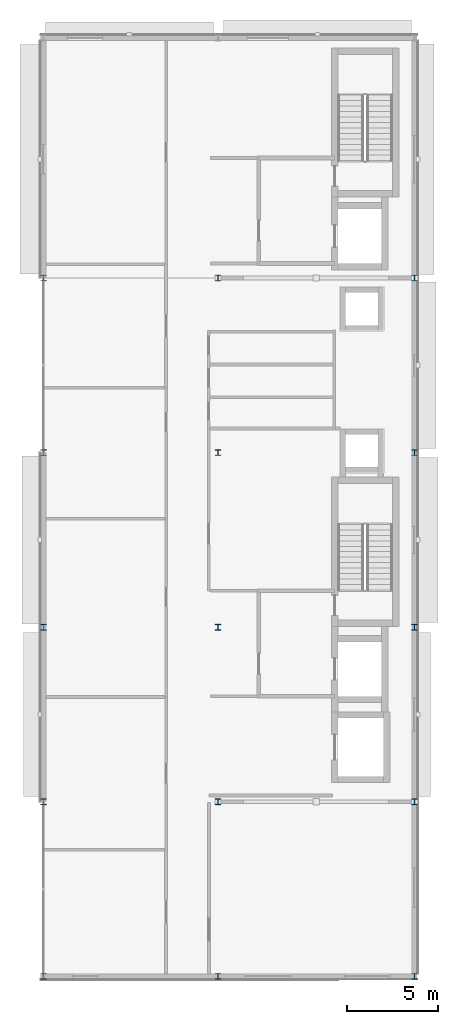
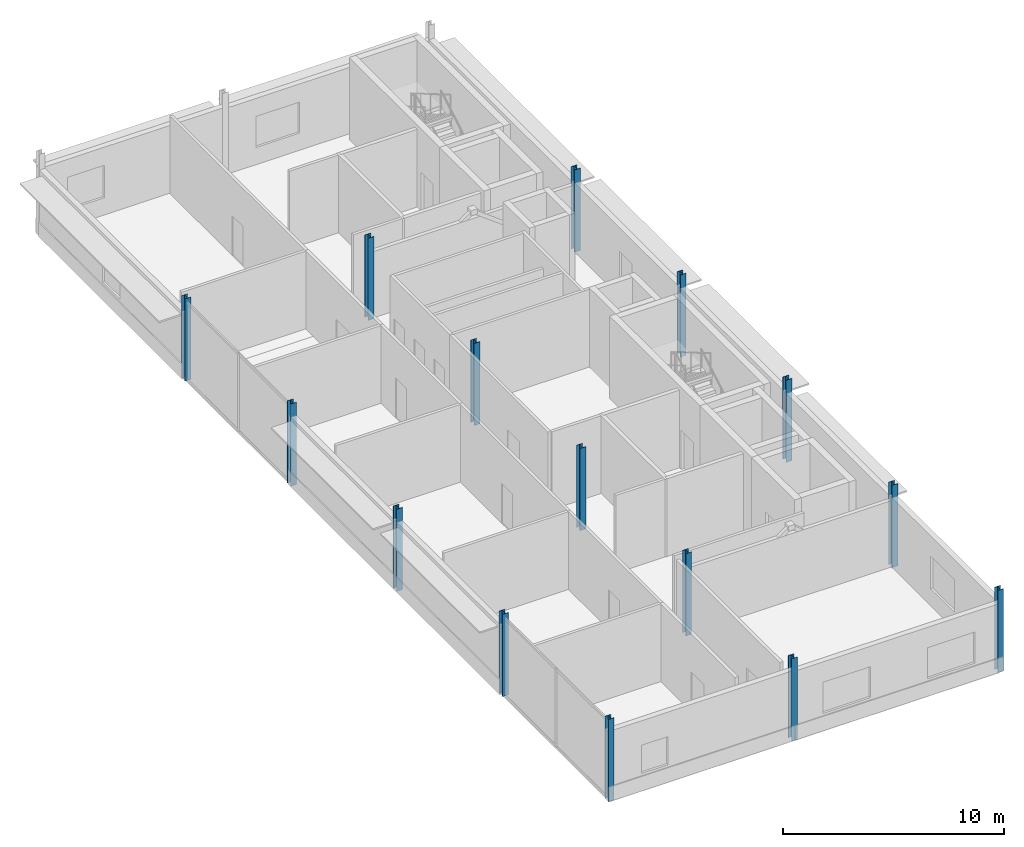
# One storey, part 1 of 10: 15 columns.
"""IFC4 building model written with IfcOpenShell, lengths in metres."""

from ifc_helpers import new_model, si_unit, direction, frame, origin, origin_2d, place, context, subcontext, project, spatial, i_section, extrude, material, material_profile, profile_set, type_object, element, save


model = new_model("IFC4")

# Units and contexts
model_context = context("Model", 3, precision=1e-05, world=origin(), true_north=direction((0.0, 1.0)))
body_context = subcontext(model_context, "Body", "Model", "MODEL_VIEW")
ifc_project = project(units=[si_unit("LENGTHUNIT", "METRE"), si_unit("AREAUNIT", "SQUARE_METRE"), si_unit("VOLUMEUNIT", "CUBIC_METRE"), si_unit("PLANEANGLEUNIT", "RADIAN"), si_unit("MASSUNIT", "GRAM", prefix="KILO")], contexts=[model_context])

# Site, building, storey
site_placement = place(None, origin())
site = spatial("IfcSite", under=ifc_project, at=site_placement, CompositionType="ELEMENT")
building_placement = place(site_placement, origin())
building = spatial("IfcBuilding", under=site, at=building_placement, Name="Almandine Court Research Institute", CompositionType="ELEMENT")
storey_placement = place(building_placement, frame((0.0, 0.0, 41.64990234375)))
storey = spatial("IfcBuildingStorey", under=building, at=storey_placement, Name="L09", CompositionType="ELEMENT", Elevation=41.64990234375)

# Columns
ifc_material = material(Name="Steel ASTM A992 Grade 50", Category="steel")
ifc_material_profile_1 = material_profile(ifc_material, i_section(OverallWidth=0.30810546875, OverallDepth=0.318115234375, WebThickness=0.012939453125, FlangeThickness=0.02099609375, at=origin_2d()), Name="W310x129")
ifc_profile_set_1 = profile_set([ifc_material_profile_1], Name="Steel ASTM A992 Grade 50")
column_type_1 = type_object("IfcColumnType", Name="Col-C-W07", PredefinedType="COLUMN", material=ifc_profile_set_1)
for number, where, z_axis, x_axis, name in (
    (1, (153.60009765625, 15.60009765625, 0.0), (0.0, 0.0, 1.0), (1.0, 0.0, 0.0), "L09 V4 Column V4-X2Y2"),
    (2, (153.60009765625, 25.199951171875, 0.0), (0.0, 0.0, 1.0), (1.0, 0.0, 0.0), "L09 V4 Column V4-X2Y3"),
    (3, (153.60009765625, 34.800048828125, 0.0), (0.0, 0.0, 1.0), (1.0, 0.0, 0.0), "L09 V4 Column V4-X2Y4"),
    (4, (153.60009765625, 44.39990234375, 0.0), (0.0, 0.0, 1.0), (1.0, 0.0, 0.0), "L09 V4 Column V4-X2Y5"),
    (5, (163.199951171875, 15.60009765625, 0.0), (0.0, 0.0, 1.0), (1.0, 0.0, 0.0), "L09 V4 Column V4-X3Y2"),
    (6, (163.199951171875, 25.199951171875, 0.0), (0.0, 0.0, 1.0), (1.0, 0.0, 0.0), "L09 V4 Column V4-X3Y3"),
    (7, (163.199951171875, 34.800048828125, 0.0), (0.0, 0.0, 1.0), (1.0, 0.0, 0.0), "L09 V4 Column V4-X3Y4"),
    (8, (163.199951171875, 44.39990234375, 0.0), (0.0, 0.0, 1.0), (1.0, 0.0, 0.0), "L09 V4 Column V4-X3Y5"),
):
    element("IfcColumn", number, at=place(storey_placement, frame(where, z_axis=z_axis, x_axis=x_axis)), inside=storey, type_object=column_type_1, Name=name, PredefinedType="COLUMN", context=body_context, shape_type="SweptSolid", body=[
        extrude(i_section(OverallWidth=0.30810546875, OverallDepth=0.318115234375, WebThickness=0.012939453125, FlangeThickness=0.02099609375, at=origin_2d()), origin(), (0.0, 0.0, 1.0), 4.550048828125),
    ])
ifc_material_profile_2 = material_profile(ifc_material, i_section(OverallWidth=0.30810546875, OverallDepth=0.318115234375, WebThickness=0.012939453125, FlangeThickness=0.02099609375, at=origin_2d()), Name="W310x129")
ifc_profile_set_2 = profile_set([ifc_material_profile_2], Name="Steel ASTM A992 Grade 50")
column_type_2 = type_object("IfcColumnType", Name="Col-C-W07-E", PredefinedType="COLUMN", material=ifc_profile_set_2)
for number, where, z_axis, x_axis, name in (
    (9, (153.60009765625, 6.0, 0.0), (0.0, 0.0, 1.0), (1.0, 0.0, 0.0), "L09 V4 Column V4-X2Y1"),
    (10, (163.199951171875, 6.0, 0.0), (0.0, 0.0, 1.0), (1.0, 0.0, 0.0), "L09 V4 Column V4-X3Y1"),
    (11, (174.0, 6.0, 0.0), (0.0, 0.0, 1.0), (1.0, 0.0, 0.0), "L09 V4 Column V4-X4Y1"),
    (12, (174.0, 15.60009765625, 0.0), (0.0, 0.0, 1.0), (1.0, 0.0, 0.0), "L09 V4 Column V4-X4Y2"),
    (13, (174.0, 25.199951171875, 0.0), (0.0, 0.0, 1.0), (1.0, 0.0, 0.0), "L09 V4 Column V4-X4Y3"),
    (14, (174.0, 34.800048828125, 0.0), (0.0, 0.0, 1.0), (1.0, 0.0, 0.0), "L09 V4 Column V4-X4Y4"),
    (15, (174.0, 44.39990234375, 0.0), (0.0, 0.0, 1.0), (1.0, 0.0, 0.0), "L09 V4 Column V4-X4Y5"),
):
    element("IfcColumn", number, at=place(storey_placement, frame(where, z_axis=z_axis, x_axis=x_axis)), inside=storey, type_object=column_type_2, Name=name, PredefinedType="COLUMN", context=body_context, shape_type="SweptSolid", body=[
        extrude(i_section(OverallWidth=0.30810546875, OverallDepth=0.318115234375, WebThickness=0.012939453125, FlangeThickness=0.02099609375, at=origin_2d()), origin(), (0.0, 0.0, 1.0), 4.550048828125),
    ])

save(model, "model.ifc")
